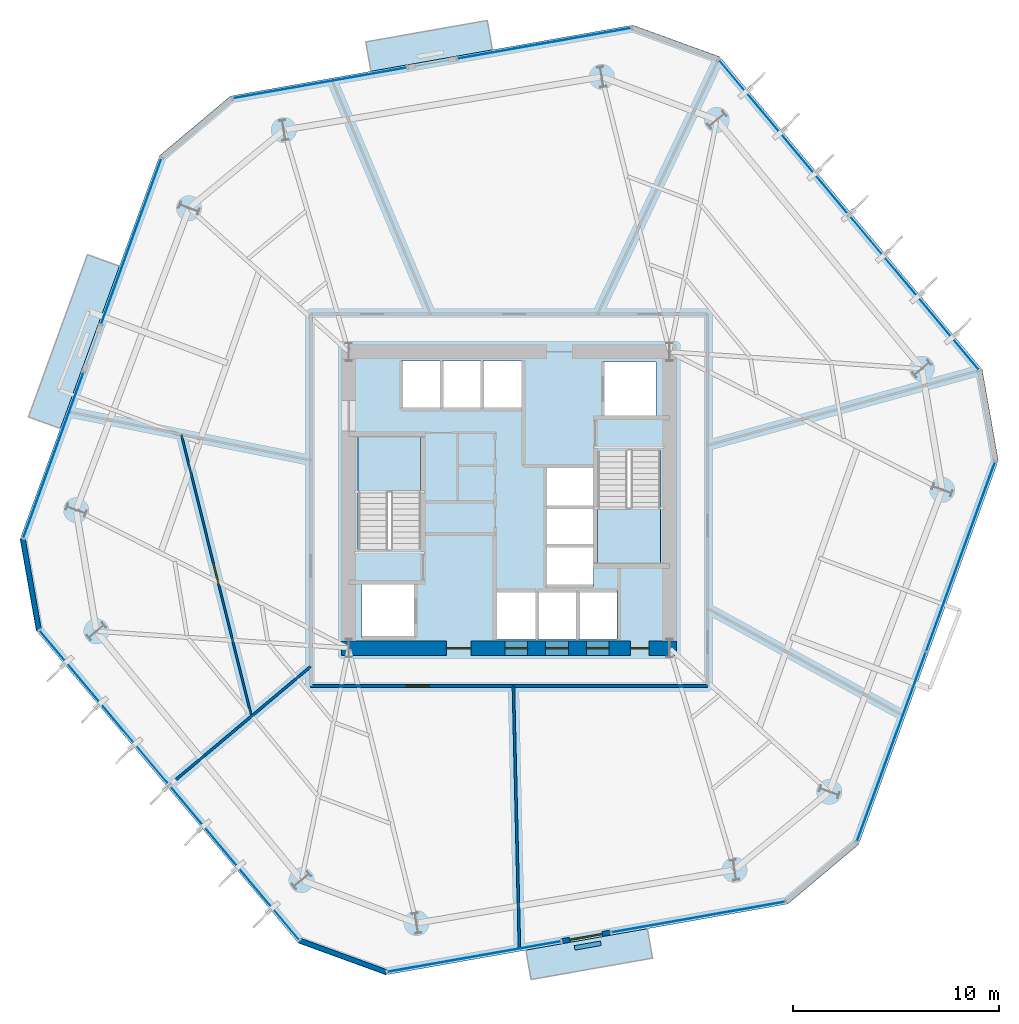
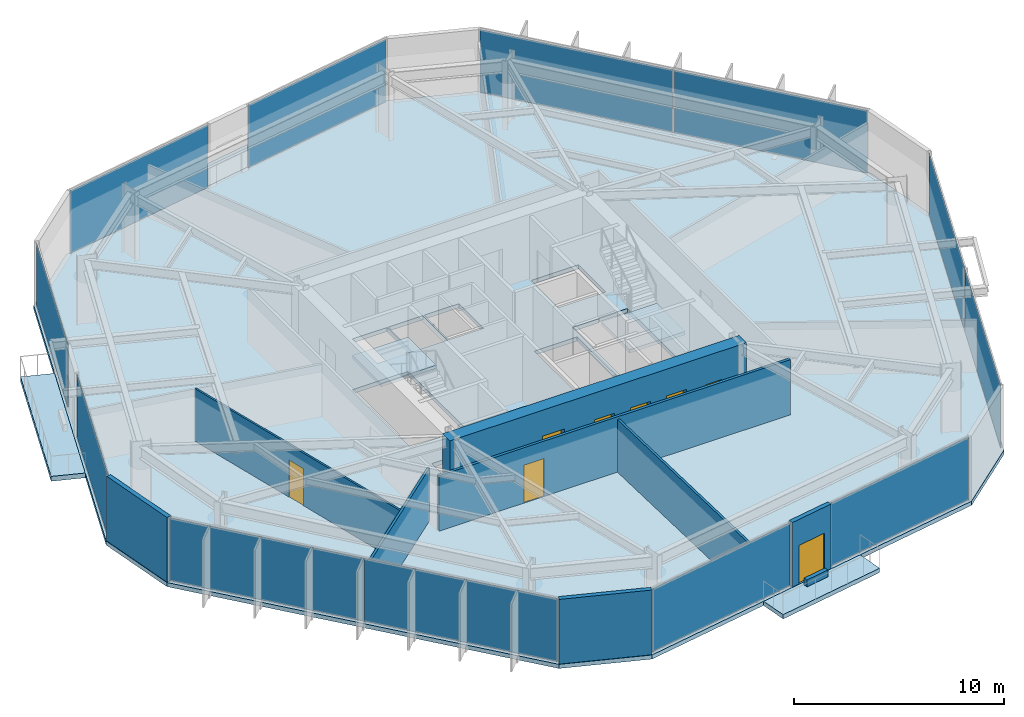
# One storey, part 5 of 10: 12 plates, 9 walls, 8 doors, 6 slabs, 8 openings, 11 elements without a shape of their own.
"""IFC4 building model written with IfcOpenShell, lengths in metres."""

from ifc_helpers import new_model, si_unit, direction, frame, frame_2d, origin, origin_2d, place, context, subcontext, project, spatial, polyline, rectangle, outline, extrude, material, layer, layer_set, type_object, element, fill, aggregate, save


model = new_model("IFC4")

# Units and contexts
model_context = context("Model", 3, precision=1e-05, world=origin(), true_north=direction((0.0, 1.0)))
body_context = subcontext(model_context, "Body", "Model", "MODEL_VIEW")
ifc_project = project(units=[si_unit("LENGTHUNIT", "METRE"), si_unit("AREAUNIT", "SQUARE_METRE"), si_unit("VOLUMEUNIT", "CUBIC_METRE"), si_unit("PLANEANGLEUNIT", "RADIAN"), si_unit("MASSUNIT", "GRAM", prefix="KILO")], contexts=[model_context])

# Site, building, storey
site_placement = place(None, origin())
site = spatial("IfcSite", under=ifc_project, at=site_placement, CompositionType="ELEMENT")
building_placement = place(site_placement, origin())
building = spatial("IfcBuilding", under=site, at=building_placement, Name="Kranzbogen Civic Tower", CompositionType="ELEMENT")
storey_placement = place(building_placement, frame((0.0, 0.0, 60.0)))
storey = spatial("IfcBuildingStorey", under=building, at=storey_placement, Name="L14", CompositionType="ELEMENT", Elevation=60.0)

# Slab
ifc_material_1 = material(Name="Concrete C40/50", Category="concrete")
ifc_layer_1 = layer(ifc_material_1, 0.239990234375, Name="Concrete C40/50")
ifc_layer_set_1 = layer_set([ifc_layer_1], Name="Concrete C40/50")
slab_type_1 = type_object("IfcSlabType", Name="Composite Lower Tower Floor Slab 240 mm", PredefinedType="FLOOR", material=ifc_layer_set_1)
slab_1_placement = place(storey_placement, frame((0.0, 0.0, -0.239990234375)))
element("IfcSlab", 1, at=slab_1_placement, inside=storey, type_object=slab_type_1, Name="L14 tower floor slab", PredefinedType="FLOOR", context=body_context, shape_type="SweptSolid", body=[
    extrude(outline(polyline([(48.006103515625, 31.341064453125), (35.239990234375, 46.555908203125), (31.010986328125, 48.094970703125), (11.451904296875, 44.64599609375), (8.0048828125, 41.7529296875), (1.2119140625, 23.090087890625), (1.993896484375, 18.658935546875), (14.760009765625, 3.444091796875), (18.989013671875, 1.905029296875), (38.548095703125, 5.35400390625), (41.9951171875, 8.2470703125), (48.7880859375, 26.909912109375), (48.006103515625, 31.341064453125)]), holes=[polyline([(26.300048828125, 20.60009765625), (26.300048828125, 18.25), (24.39990234375, 18.25), (24.39990234375, 20.60009765625), (26.300048828125, 20.60009765625)]), polyline([(28.27490234375, 18.25), (26.375, 18.25), (26.375, 20.60009765625), (28.27490234375, 20.60009765625), (28.27490234375, 18.25)]), polyline([(20.449951171875, 18.300048828125), (17.85009765625, 18.300048828125), (17.85009765625, 20.89990234375), (20.449951171875, 20.89990234375), (20.449951171875, 18.300048828125)]), polyline([(20.699951171875, 22.659912109375), (19.25, 22.659912109375), (19.25, 22.60009765625), (17.64990234375, 22.60009765625), (17.64990234375, 28.10009765625), (20.699951171875, 28.10009765625), (20.699951171875, 22.659912109375)]), polyline([(21.64990234375, 29.39990234375), (19.75, 29.39990234375), (19.75, 31.75), (21.64990234375, 31.75), (21.64990234375, 29.39990234375)]), polyline([(23.625, 29.39990234375), (21.72509765625, 29.39990234375), (21.72509765625, 31.75), (23.625, 31.75), (23.625, 29.39990234375)]), polyline([(25.60009765625, 31.75), (25.60009765625, 29.39990234375), (23.699951171875, 29.39990234375), (23.699951171875, 31.75), (25.60009765625, 31.75)]), polyline([(30.25, 18.25), (28.35009765625, 18.25), (28.35009765625, 20.60009765625), (30.25, 20.60009765625), (30.25, 18.25)]), polyline([(29.10009765625, 20.800048828125), (26.75, 20.800048828125), (26.75, 22.699951171875), (29.10009765625, 22.699951171875), (29.10009765625, 20.800048828125)]), polyline([(26.75, 26.550048828125), (29.10009765625, 26.550048828125), (29.10009765625, 24.675048828125), (29.10009765625, 24.64990234375), (29.10009765625, 22.77490234375), (26.75, 22.77490234375), (26.75, 24.64990234375), (26.75, 24.675048828125), (26.75, 26.550048828125)]), polyline([(30.75, 27.340087890625), (30.75, 27.39990234375), (32.35009765625, 27.39990234375), (32.35009765625, 21.89990234375), (29.300048828125, 21.89990234375), (29.300048828125, 27.340087890625), (30.75, 27.340087890625)]), polyline([(32.14990234375, 29.10009765625), (29.550048828125, 29.10009765625), (29.550048828125, 31.699951171875), (32.14990234375, 31.699951171875), (32.14990234375, 29.10009765625)])]), origin(), (0.0, 0.0, 1.0), 0.239990234375),
])

# Curtain wall, plates
ifc_material_2 = material(Name="Pale Anodised Aluminium", Category="aluminium")
ifc_layer_2 = layer(ifc_material_2, 0.219970703125, Name="Pale Anodised Aluminium")
ifc_layer_set_2 = layer_set([ifc_layer_2], Name="Pale Anodised Aluminium")
curtain_wall_type = type_object("IfcCurtainWallType", Name="Zone 1 Stick Curtain Wall System CW-02", PredefinedType="USERDEFINED", material=ifc_layer_set_2)
curtain_wall_1_placement = place(storey_placement, origin())
curtain_wall_1 = element("IfcCurtainWall", 2, at=curtain_wall_1_placement, inside=storey, type_object=curtain_wall_type, Name="L14 curtain wall CW-L14-F1", ObjectType="STICK CURTAIN WALL", PredefinedType="USERDEFINED")
ifc_material_3 = material(Name="Low-E Triple Glazing Glass", Category="glass")
ifc_layer_3 = layer(ifc_material_3, 0.033935546875, Name="Low-E Triple Glazing Glass")
ifc_layer_set_3 = layer_set([ifc_layer_3], Name="Low-E Triple Glazing Glass")
plate_type = type_object("IfcPlateType", Name="Insulated Low-E Glazing Panel 34 mm", PredefinedType="CURTAIN_PANEL", material=ifc_layer_set_3)
plate_1_placement = place(storey_placement, frame((44.688720703125, 35.096923828125, 0.06005859375), z_axis=(0.0, 0.0, 1.0), x_axis=(-0.64275131969, 0.766074892577, 0.0)))
plate_1 = element("IfcPlate", 3, at=plate_1_placement, type_object=plate_type, Name="CW-02 panel 1.1", PredefinedType="CURTAIN_PANEL", context=body_context, shape_type="SweptSolid", body=[
    extrude(rectangle(XDim=9.782470703125, YDim=0.028076171875, at=origin_2d()), origin(), (0.0, 0.0, 1.0), 3.639892578125),
])
plate_2_placement = place(storey_placement, frame((38.3623046875, 42.636962890625, 0.06005859375), z_axis=(0.0, 0.0, 1.0), x_axis=(-0.64275131969, 0.766074892577, 0.0)))
plate_2 = element("IfcPlate", 4, at=plate_2_placement, type_object=plate_type, Name="CW-02 panel 2.1", PredefinedType="CURTAIN_PANEL", context=body_context, shape_type="SweptSolid", body=[
    extrude(rectangle(XDim=9.782470703125, YDim=0.028076171875, at=origin_2d()), origin(), (0.0, 0.0, 1.0), 3.639892578125),
])
aggregate(curtain_wall_1, [plate_1, plate_2])

# Curtain wall, plate
curtain_wall_2_placement = place(storey_placement, origin())
curtain_wall_2 = element("IfcCurtainWall", 5, at=curtain_wall_2_placement, inside=storey, type_object=curtain_wall_type, Name="L14 curtain wall CW-L14-F2-S1", ObjectType="STICK CURTAIN WALL", PredefinedType="USERDEFINED")
plate_3_placement = place(storey_placement, frame((26.7060546875, 47.20703125, 0.06005859375), z_axis=(0.0, 0.0, 1.0), x_axis=(-0.984804448011, -0.173666920217, 0.0)))
plate_3 = element("IfcPlate", 6, at=plate_3_placement, type_object=plate_type, Name="CW-02 panel 1.1", PredefinedType="CURTAIN_PANEL", context=body_context, shape_type="SweptSolid", body=[
    extrude(rectangle(XDim=8.5517578125, YDim=0.028076171875, at=origin_2d()), origin(), (0.0, 0.0, 1.0), 3.639892578125),
])
aggregate(curtain_wall_2, [plate_3])

curtain_wall_3_placement = place(storey_placement, origin())
curtain_wall_3 = element("IfcCurtainWall", 7, at=curtain_wall_3_placement, inside=storey, type_object=curtain_wall_type, Name="L14 curtain wall CW-L14-F2-S2", ObjectType="STICK CURTAIN WALL", PredefinedType="USERDEFINED")
plate_4_placement = place(storey_placement, frame((15.801513671875, 45.283935546875, 0.06005859375), z_axis=(0.0, 0.0, 1.0), x_axis=(-0.984807925391, -0.173647200057, 0.0)))
plate_4 = element("IfcPlate", 8, at=plate_4_placement, type_object=plate_type, Name="CW-02 panel 1.1", PredefinedType="CURTAIN_PANEL", context=body_context, shape_type="SweptSolid", body=[
    extrude(rectangle(XDim=8.552734375, YDim=0.028076171875, at=origin_2d()), origin(), (0.0, 0.0, 1.0), 3.639892578125),
])
aggregate(curtain_wall_3, [plate_4])

curtain_wall_4_placement = place(storey_placement, origin())
curtain_wall_4 = element("IfcCurtainWall", 9, at=curtain_wall_4_placement, inside=storey, type_object=curtain_wall_type, Name="L14 curtain wall CW-L14-F3-S1", ObjectType="STICK CURTAIN WALL", PredefinedType="USERDEFINED")
plate_5_placement = place(storey_placement, frame((6.6220703125, 37.58056640625, 0.06005859375), z_axis=(0.0, 0.0, 1.0), x_axis=(-0.342020811393, -0.939692377629, 0.0)))
plate_5 = element("IfcPlate", 10, at=plate_5_placement, type_object=plate_type, Name="CW-02 panel 1.1", PredefinedType="CURTAIN_PANEL", context=body_context, shape_type="SweptSolid", body=[
    extrude(rectangle(XDim=8.552001953125, YDim=0.028076171875, at=origin_2d()), origin(), (0.0, 0.0, 1.0), 3.639892578125),
])
aggregate(curtain_wall_4, [plate_5])

curtain_wall_5_placement = place(storey_placement, origin())
curtain_wall_5 = element("IfcCurtainWall", 11, at=curtain_wall_5_placement, inside=storey, type_object=curtain_wall_type, Name="L14 curtain wall CW-L14-F3-S2", ObjectType="STICK CURTAIN WALL", PredefinedType="USERDEFINED")
plate_6_placement = place(storey_placement, frame((2.8349609375, 27.176025390625, 0.06005859375), z_axis=(0.0, 0.0, 1.0), x_axis=(-0.341983753933, -0.939705864644, 0.0)))
plate_6 = element("IfcPlate", 12, at=plate_6_placement, type_object=plate_type, Name="CW-02 panel 1.1", PredefinedType="CURTAIN_PANEL", context=body_context, shape_type="SweptSolid", body=[
    extrude(rectangle(XDim=8.552978515625, YDim=0.028076171875, at=origin_2d()), origin(), (0.0, 0.0, 1.0), 3.639892578125),
])
aggregate(curtain_wall_5, [plate_6])

# Curtain wall, plates
curtain_wall_6_placement = place(storey_placement, origin())
curtain_wall_6 = element("IfcCurtainWall", 13, at=curtain_wall_6_placement, inside=storey, type_object=curtain_wall_type, Name="L14 curtain wall CW-L14-F4", ObjectType="STICK CURTAIN WALL", PredefinedType="USERDEFINED")
plate_7_placement = place(storey_placement, frame((5.311279296875, 14.903076171875, 0.06005859375), z_axis=(0.0, 0.0, 1.0), x_axis=(0.64275131969, -0.766074892577, 0.0)))
plate_7 = element("IfcPlate", 14, at=plate_7_placement, type_object=plate_type, Name="CW-02 panel 1.1", PredefinedType="CURTAIN_PANEL", context=body_context, shape_type="SweptSolid", body=[
    extrude(rectangle(XDim=9.782470703125, YDim=0.028076171875, at=origin_2d()), origin(), (0.0, 0.0, 1.0), 3.639892578125),
])
plate_8_placement = place(storey_placement, frame((11.6376953125, 7.363037109375, 0.06005859375), z_axis=(0.0, 0.0, 1.0), x_axis=(0.64275131969, -0.766074892577, 0.0)))
plate_8 = element("IfcPlate", 15, at=plate_8_placement, type_object=plate_type, Name="CW-02 panel 2.1", PredefinedType="CURTAIN_PANEL", context=body_context, shape_type="SweptSolid", body=[
    extrude(rectangle(XDim=9.782470703125, YDim=0.028076171875, at=origin_2d()), origin(), (0.0, 0.0, 1.0), 3.639892578125),
])
aggregate(curtain_wall_6, [plate_7, plate_8])

# Curtain wall, plate
curtain_wall_7_placement = place(storey_placement, origin())
curtain_wall_7 = element("IfcCurtainWall", 16, at=curtain_wall_7_placement, inside=storey, type_object=curtain_wall_type, Name="L14 curtain wall CW-L14-F5-S1", ObjectType="STICK CURTAIN WALL", PredefinedType="USERDEFINED")
plate_9_placement = place(storey_placement, frame((23.2939453125, 2.79296875, 0.06005859375), z_axis=(0.0, 0.0, 1.0), x_axis=(0.984804448011, 0.173666920217, 0.0)))
plate_9 = element("IfcPlate", 17, at=plate_9_placement, type_object=plate_type, Name="CW-02 panel 1.1", PredefinedType="CURTAIN_PANEL", context=body_context, shape_type="SweptSolid", body=[
    extrude(rectangle(XDim=8.5517578125, YDim=0.028076171875, at=origin_2d()), origin(), (0.0, 0.0, 1.0), 3.639892578125),
])
aggregate(curtain_wall_7, [plate_9])

curtain_wall_8_placement = place(storey_placement, origin())
curtain_wall_8 = element("IfcCurtainWall", 18, at=curtain_wall_8_placement, inside=storey, type_object=curtain_wall_type, Name="L14 curtain wall CW-L14-F5-S2", ObjectType="STICK CURTAIN WALL", PredefinedType="USERDEFINED")
plate_10_placement = place(storey_placement, frame((34.198486328125, 4.716064453125, 0.06005859375), z_axis=(0.0, 0.0, 1.0), x_axis=(0.984807925391, 0.173647200057, 0.0)))
plate_10 = element("IfcPlate", 19, at=plate_10_placement, type_object=plate_type, Name="CW-02 panel 1.1", PredefinedType="CURTAIN_PANEL", context=body_context, shape_type="SweptSolid", body=[
    extrude(rectangle(XDim=8.552734375, YDim=0.028076171875, at=origin_2d()), origin(), (0.0, 0.0, 1.0), 3.639892578125),
])
aggregate(curtain_wall_8, [plate_10])

# Curtain wall, plates
curtain_wall_9_placement = place(storey_placement, origin())
curtain_wall_9 = element("IfcCurtainWall", 20, at=curtain_wall_9_placement, inside=storey, type_object=curtain_wall_type, Name="L14 curtain wall CW-L14-F6", ObjectType="STICK CURTAIN WALL", PredefinedType="USERDEFINED")
plate_11_placement = place(storey_placement, frame((43.58837890625, 12.99755859375, 0.06005859375), z_axis=(0.0, 0.0, 1.0), x_axis=(0.342015504473, 0.939694309177, 0.0)))
plate_11 = element("IfcPlate", 21, at=plate_11_placement, type_object=plate_type, Name="CW-02 panel 1.1", PredefinedType="CURTAIN_PANEL", context=body_context, shape_type="SweptSolid", body=[
    extrude(rectangle(XDim=9.782470703125, YDim=0.028076171875, at=origin_2d()), origin(), (0.0, 0.0, 1.0), 3.639892578125),
])
plate_12_placement = place(storey_placement, frame((46.95458984375, 22.246337890625, 0.06005859375), z_axis=(0.0, 0.0, 1.0), x_axis=(0.342015504473, 0.939694309177, 0.0)))
plate_12 = element("IfcPlate", 22, at=plate_12_placement, type_object=plate_type, Name="CW-02 panel 2.1", PredefinedType="CURTAIN_PANEL", context=body_context, shape_type="SweptSolid", body=[
    extrude(rectangle(XDim=9.782470703125, YDim=0.028076171875, at=origin_2d()), origin(), (0.0, 0.0, 1.0), 3.639892578125),
])
aggregate(curtain_wall_9, [plate_11, plate_12])

# Stair, slab
ifc_material_4 = material(Name="Precast concrete C40/50", Category="concrete")
stair_type_1 = type_object("IfcStairType", Name="Tower Core Pressurized Dogleg Stair 1450", PredefinedType="HALF_TURN_STAIR", material=ifc_material_4)
stair_1_placement = place(storey_placement, origin())
stair_1 = element("IfcStair", 23, at=stair_1_placement, inside=storey, type_object=stair_type_1, Name="L14 Tower Core Pressurized Stair 1", PredefinedType="HALF_TURN_STAIR")
ifc_layer_4 = layer(ifc_material_4, 0.199951171875, Name="Precast concrete C40/50")
ifc_layer_set_4 = layer_set([ifc_layer_4], Name="Precast concrete C40/50")
slab_type_2 = type_object("IfcSlabType", Name="Precast Concrete Stair Landing Slab 200 mm", PredefinedType="LANDING", material=ifc_layer_set_4)
slab_2_placement = place(storey_placement, frame((0.0, 0.0, 1.800048828125)))
slab_2 = element("IfcSlab", 24, at=slab_2_placement, type_object=slab_type_2, Name="ST-T1 landing 1", PredefinedType="LANDING", context=body_context, shape_type="SweptSolid", body=[
    extrude(outline(polyline([(20.699951171875, 25.39990234375), (20.699951171875, 28.10009765625), (17.64990234375, 28.10009765625), (17.64990234375, 25.39990234375), (20.699951171875, 25.39990234375)])), origin(), (0.0, 0.0, 1.0), 0.199951171875),
])
aggregate(stair_1, [slab_2])

stair_type_2 = type_object("IfcStairType", Name="Tower Core Secondary Dogleg Stair 1450", PredefinedType="HALF_TURN_STAIR", material=ifc_material_4)
stair_2_placement = place(storey_placement, origin())
stair_2 = element("IfcStair", 25, at=stair_2_placement, inside=storey, type_object=stair_type_2, Name="L14 Tower Core Pressurized Stair 2", PredefinedType="HALF_TURN_STAIR")
slab_3_placement = place(storey_placement, frame((0.0, 0.0, 1.800048828125)))
slab_3 = element("IfcSlab", 26, at=slab_3_placement, type_object=slab_type_2, Name="ST-T2 landing 1", PredefinedType="LANDING", context=body_context, shape_type="SweptSolid", body=[
    extrude(outline(polyline([(29.300048828125, 24.60009765625), (29.300048828125, 21.89990234375), (32.35009765625, 21.89990234375), (32.35009765625, 24.60009765625), (29.300048828125, 24.60009765625)])), origin(), (0.0, 0.0, 1.0), 0.199951171875),
])
aggregate(stair_2, [slab_3])

# Slabs
ifc_layer_5 = layer(ifc_material_1, 0.280029296875, Name="Concrete C40/50")
ifc_layer_set_5 = layer_set([ifc_layer_5], Name="Concrete C40/50")
slab_type_3 = type_object("IfcSlabType", Name="Spiral Terrace Cantilevered Slab 280 mm", PredefinedType="FLOOR", material=ifc_layer_set_5)
slab_4_placement = place(storey_placement, frame((0.0, 0.0, -0.280029296875)))
element("IfcSlab", 27, at=slab_4_placement, inside=storey, type_object=slab_type_3, Name="L14 cantilevered spiral terrace L14-ST", PredefinedType="FLOOR", context=body_context, shape_type="SweptSolid", body=[
    extrude(outline(polyline([(6.044921875, 36.368896484375), (3.172119140625, 28.47509765625), (1.6220703125, 29.0390625), (4.4951171875, 36.93310546875), (6.044921875, 36.368896484375)])), origin(), (0.0, 0.0, 1.0), 0.280029296875),
])
ifc_layer_6 = layer(ifc_material_1, 0.25, Name="Concrete C40/50")
ifc_layer_set_6 = layer_set([ifc_layer_6], Name="Concrete C40/50")
slab_type_4 = type_object("IfcSlabType", Name="Tree Balcony Cantilevered Slab 250 mm", PredefinedType="FLOOR", material=ifc_layer_set_6)
slab_5_placement = place(storey_placement, frame((0.0, 0.0, -0.25)))
element("IfcSlab", 28, at=slab_5_placement, inside=storey, type_object=slab_type_4, Name="L14 cantilevered tree balcony L14-TB1", PredefinedType="FLOOR", context=body_context, shape_type="SweptSolid", body=[
    extrude(outline(polyline([(25.81396484375, 3.10888671875), (31.722900390625, 4.15087890625), (31.97509765625, 2.722900390625), (26.06591796875, 1.680908203125), (25.81396484375, 3.10888671875)])), origin(), (0.0, 0.0, 1.0), 0.25),
])
slab_6_placement = place(storey_placement, frame((0.0, 0.0, -0.25)))
element("IfcSlab", 29, at=slab_6_placement, inside=storey, type_object=slab_type_4, Name="L14 cantilevered tree balcony L14-TB2", PredefinedType="FLOOR", context=body_context, shape_type="SweptSolid", body=[
    extrude(outline(polyline([(24.18603515625, 46.89111328125), (18.277099609375, 45.84912109375), (18.02490234375, 47.277099609375), (23.93408203125, 48.319091796875), (24.18603515625, 46.89111328125)])), origin(), (0.0, 0.0, 1.0), 0.25),
])

# Wall, opening, door
ifc_material_5 = material(Name="Double-Stud Acoustic Gypsum Partition")
ifc_layer_7 = layer(ifc_material_5, 0.14990234375, Name="Double-Stud Acoustic Gypsum Partition")
ifc_layer_set_7 = layer_set([ifc_layer_7], Name="Double-Stud Acoustic Gypsum Partition")
wall_type_1 = type_object("IfcWallType", Name="Acoustic Corridor and Clinical Partition 150 mm", PredefinedType="PARTITIONING", material=ifc_layer_set_7)
wall_1_placement = place(storey_placement, frame((34.64990234375, 15.949951171875, 0.0), z_axis=(0.0, 0.0, 1.0), x_axis=(-1.0, 0.0, 0.0)))
wall_1 = element("IfcWall", 30, at=wall_1_placement, inside=storey, type_object=wall_type_1, Name="L14 corridor partition 03", PredefinedType="PARTITIONING", context=body_context, shape_type="SweptSolid", body=[
    extrude(rectangle(XDim=19.2998046875, YDim=0.14990234375, at=frame_2d((9.64990234375, 0.0))), origin(), (0.0, 0.0, 1.0), 3.2099609375),
])
opening_1_placement = place(wall_1_placement, frame((13.547119140625, 0.0, 0.0)))
opening_1 = element("IfcOpeningElement", 31, at=opening_1_placement, cuts=wall_1, Name="Opening D-COR60", PredefinedType="OPENING", context=body_context, shape_type="SweptSolid", body=[
    extrude(rectangle(XDim=1.10009765625, YDim=2.199951171875, at=frame_2d((0.550048828125, 1.10009765625))), frame((0.0, 0.0849609375, 0.0), z_axis=(0.0, -1.0, 0.0), x_axis=(1.0, 0.0, 0.0)), (0.0, 0.0, 1.0), 0.169921875),
])
ifc_material_6 = material(Name="Oak Timber and Fire Core", Category="wood")
door_type_1 = type_object("IfcDoorType", Name="Corridor Acoustic Fire Door 1100x2200", OperationType="NOTDEFINED", PredefinedType="DOOR", material=ifc_material_6)
door_1_placement = place(opening_1_placement, origin())
door_1 = element("IfcDoor", 32, at=door_1_placement, inside=storey, type_object=door_type_1, Name="L14 Legal Counsel Office door", OperationType="SINGLE_SWING_RIGHT", OverallHeight=2.199951171875, OverallWidth=1.10009765625, PredefinedType="DOOR", context=body_context, shape_type="SweptSolid", body=[
    extrude(rectangle(XDim=1.10009765625, YDim=2.199951171875, at=frame_2d((0.550048828125, 1.10009765625))), frame((0.0, 0.02490234375, 0.0), z_axis=(0.0, -1.0, 0.0), x_axis=(1.0, 0.0, 0.0)), (0.0, 0.0, 1.0), 0.050048828125),
])
fill(opening_1, door_1)

# Walls
ifc_material_7 = material(Name="Insulated Metal-Stud Gypsum Partition")
ifc_layer_8 = layer(ifc_material_7, 0.125, Name="Insulated Metal-Stud Gypsum Partition")
ifc_layer_set_8 = layer_set([ifc_layer_8], Name="Insulated Metal-Stud Gypsum Partition")
wall_type_2 = type_object("IfcWallType", Name="Acoustic Inter-Room Partition 125 mm", PredefinedType="PARTITIONING", material=ifc_layer_set_8)
wall_2_placement = place(storey_placement, frame((15.35009765625, 16.903076171875, 0.0), z_axis=(0.0, 0.0, 1.0), x_axis=(-0.766038717156, -0.642794433562, 0.0)))
element("IfcWall", 33, at=wall_2_placement, inside=storey, type_object=wall_type_2, Name="L14 radial room partition 04", PredefinedType="PARTITIONING", context=body_context, shape_type="SweptSolid", body=[
    extrude(rectangle(XDim=8.957763671875, YDim=0.125, at=frame_2d((4.47900390625, 0.0))), origin(), (0.0, 0.0, 1.0), 3.06005859375),
])
wall_3_placement = place(storey_placement, frame((25.20703125, 15.949951171875, 0.0), z_axis=(0.0, 0.0, 1.0), x_axis=(0.022895344846, -0.999737867235, 0.0)))
element("IfcWall", 34, at=wall_3_placement, inside=storey, type_object=wall_type_2, Name="L14 radial room partition 05", PredefinedType="PARTITIONING", context=body_context, shape_type="SweptSolid", body=[
    extrude(rectangle(XDim=12.75341796875, YDim=0.125, at=frame_2d((6.376708984375, 0.0))), origin(), (0.0, 0.0, 1.0), 3.06005859375),
])
ifc_material_8 = material(Name="Architectural Precast Terracotta Concrete C40/50", Category="masonry")
ifc_layer_9 = layer(ifc_material_8, 0.219970703125, Name="Architectural Precast Terracotta Concrete C40/50")
ifc_layer_set_9 = layer_set([ifc_layer_9], Name="Architectural Precast Terracotta Concrete C40/50")
wall_type_3 = type_object("IfcWallType", Name="Architectural Tree Planter Kerb Wall 220 mm", PredefinedType="USERDEFINED", material=ifc_layer_set_9)
wall_4_placement = place(storey_placement, frame((28.180908203125, 3.217041015625, 0.0), z_axis=(0.0, 0.0, 1.0), x_axis=(0.98475896803, 0.173924624146, 0.0)))
element("IfcWall", 35, at=wall_4_placement, inside=storey, type_object=wall_type_3, Name="L14 landscaped tree balcony planter L14-TB1", ObjectType="PLANTER_WALL", PredefinedType="USERDEFINED", context=body_context, shape_type="SweptSolid", body=[
    extrude(rectangle(XDim=1.2998046875, YDim=0.219970703125, at=frame_2d((0.64990234375, 0.0))), origin(), (0.0, 0.0, 1.0), 0.39990234375),
])

# Wall, openings, doors
ifc_material_9 = material(Name="Concrete C55/67", Category="concrete")
ifc_layer_10 = layer(ifc_material_9, 0.699951171875, Name="Concrete C55/67")
ifc_layer_set_10 = layer_set([ifc_layer_10], Name="Concrete C55/67")
wall_type_4 = type_object("IfcWallType", Name="Central Core Shear Wall 700 mm", PredefinedType="SHEAR", material=ifc_layer_set_10)
wall_5_placement = place(storey_placement, frame((16.85009765625, 17.800048828125, 0.0), z_axis=(0.0, 0.0, 1.0), x_axis=(1.0, 0.0, 0.0)))
wall_5 = element("IfcWall", 36, at=wall_5_placement, inside=storey, type_object=wall_type_4, Name="L14 central core South shear wall", PredefinedType="SHEAR", context=body_context, shape_type="SweptSolid", body=[
    extrude(rectangle(XDim=16.2998046875, YDim=0.699951171875, at=frame_2d((8.14990234375, 0.0))), origin(), (0.0, 0.0, 1.0), 3.760009765625),
])
opening_2_placement = place(wall_5_placement, frame((5.10009765625, 0.0, 0.0)))
opening_2 = element("IfcOpeningElement", 37, at=opening_2_placement, cuts=wall_5, Name="Opening D-EX120", PredefinedType="OPENING", context=body_context, shape_type="SweptSolid", body=[
    extrude(rectangle(XDim=1.199951171875, YDim=2.25, at=frame_2d((0.60009765625, 1.125))), frame((0.0, 0.35986328125, 0.0), z_axis=(0.0, -1.0, 0.0), x_axis=(1.0, 0.0, 0.0)), (0.0, 0.0, 1.0), 0.719970703125),
])
opening_3_placement = place(wall_5_placement, frame((14.050048828125, 0.0, 0.0)))
opening_3 = element("IfcOpeningElement", 38, at=opening_3_placement, cuts=wall_5, Name="Opening D-WC90", PredefinedType="OPENING", context=body_context, shape_type="SweptSolid", body=[
    extrude(rectangle(XDim=0.89990234375, YDim=2.10009765625, at=frame_2d((0.449951171875, 1.050048828125))), frame((0.0, 0.35986328125, 0.0), z_axis=(0.0, -1.0, 0.0), x_axis=(1.0, 0.0, 0.0)), (0.0, 0.0, 1.0), 0.719970703125),
])
opening_4_placement = place(wall_5_placement, frame((7.949951171875, 0.0, 0.0)))
opening_4 = element("IfcOpeningElement", 39, at=opening_4_placement, cuts=wall_5, Name="Opening LD-LP-01", PredefinedType="OPENING", context=body_context, shape_type="SweptSolid", body=[
    extrude(rectangle(XDim=1.10009765625, YDim=2.199951171875, at=frame_2d((0.550048828125, 1.10009765625))), frame((0.0, 0.35986328125, 0.0), z_axis=(0.0, -1.0, 0.0), x_axis=(1.0, 0.0, 0.0)), (0.0, 0.0, 1.0), 0.719970703125),
])
opening_5_placement = place(wall_5_placement, frame((9.925048828125, 0.0, 0.0)))
opening_5 = element("IfcOpeningElement", 40, at=opening_5_placement, cuts=wall_5, Name="Opening LD-LP-02", PredefinedType="OPENING", context=body_context, shape_type="SweptSolid", body=[
    extrude(rectangle(XDim=1.10009765625, YDim=2.199951171875, at=frame_2d((0.550048828125, 1.10009765625))), frame((0.0, 0.35986328125, 0.0), z_axis=(0.0, -1.0, 0.0), x_axis=(1.0, 0.0, 0.0)), (0.0, 0.0, 1.0), 0.719970703125),
])
opening_6_placement = place(wall_5_placement, frame((11.89990234375, 0.0, 0.0)))
opening_6 = element("IfcOpeningElement", 41, at=opening_6_placement, cuts=wall_5, Name="Opening LD-LP-03", PredefinedType="OPENING", context=body_context, shape_type="SweptSolid", body=[
    extrude(rectangle(XDim=1.10009765625, YDim=2.199951171875, at=frame_2d((0.550048828125, 1.10009765625))), frame((0.0, 0.35986328125, 0.0), z_axis=(0.0, -1.0, 0.0), x_axis=(1.0, 0.0, 0.0)), (0.0, 0.0, 1.0), 0.719970703125),
])
ifc_material_10 = material(Name="Steel S355", Category="steel")
door_type_2 = type_object("IfcDoorType", Name="Exit Passageway Fire Door 1200x2250", OperationType="NOTDEFINED", PredefinedType="DOOR", material=ifc_material_10)
door_2_placement = place(opening_2_placement, origin())
door_2 = element("IfcDoor", 42, at=door_2_placement, inside=storey, type_object=door_type_2, Name="L14 West firefighting lobby corridor door", OperationType="SINGLE_SWING_LEFT", OverallHeight=2.25, OverallWidth=1.199951171875, PredefinedType="DOOR", context=body_context, shape_type="SweptSolid", body=[
    extrude(rectangle(XDim=1.199951171875, YDim=2.25, at=frame_2d((0.60009765625, 1.125))), frame((0.0, 0.02490234375, 0.0), z_axis=(0.0, -1.0, 0.0), x_axis=(1.0, 0.0, 0.0)), (0.0, 0.0, 1.0), 0.050048828125),
])
fill(opening_2, door_2)
door_type_3 = type_object("IfcDoorType", Name="Passenger Lift Sliding Landing Door 1100x2200", OperationType="DOUBLE_DOOR_SLIDING", PredefinedType="DOOR", material=ifc_material_2)
door_3_placement = place(opening_4_placement, origin())
door_3 = element("IfcDoor", 43, at=door_3_placement, inside=storey, type_object=door_type_3, Name="L14 lift LP-01 sliding landing door", OperationType="DOUBLE_DOOR_SLIDING", OverallHeight=2.199951171875, OverallWidth=1.10009765625, PredefinedType="DOOR", context=body_context, shape_type="SweptSolid", body=[
    extrude(rectangle(XDim=1.10009765625, YDim=2.199951171875, at=frame_2d((0.550048828125, 1.10009765625))), frame((0.0, 0.02490234375, 0.0), z_axis=(0.0, -1.0, 0.0), x_axis=(1.0, 0.0, 0.0)), (0.0, 0.0, 1.0), 0.050048828125),
])
fill(opening_4, door_3)
door_4_placement = place(opening_5_placement, origin())
door_4 = element("IfcDoor", 44, at=door_4_placement, inside=storey, type_object=door_type_3, Name="L14 lift LP-02 sliding landing door", OperationType="DOUBLE_DOOR_SLIDING", OverallHeight=2.199951171875, OverallWidth=1.10009765625, PredefinedType="DOOR", context=body_context, shape_type="SweptSolid", body=[
    extrude(rectangle(XDim=1.10009765625, YDim=2.199951171875, at=frame_2d((0.550048828125, 1.10009765625))), frame((0.0, 0.02490234375, 0.0), z_axis=(0.0, -1.0, 0.0), x_axis=(1.0, 0.0, 0.0)), (0.0, 0.0, 1.0), 0.050048828125),
])
fill(opening_5, door_4)
door_5_placement = place(opening_6_placement, origin())
door_5 = element("IfcDoor", 45, at=door_5_placement, inside=storey, type_object=door_type_3, Name="L14 lift LP-03 sliding landing door", OperationType="DOUBLE_DOOR_SLIDING", OverallHeight=2.199951171875, OverallWidth=1.10009765625, PredefinedType="DOOR", context=body_context, shape_type="SweptSolid", body=[
    extrude(rectangle(XDim=1.10009765625, YDim=2.199951171875, at=frame_2d((0.550048828125, 1.10009765625))), frame((0.0, 0.02490234375, 0.0), z_axis=(0.0, -1.0, 0.0), x_axis=(1.0, 0.0, 0.0)), (0.0, 0.0, 1.0), 0.050048828125),
])
fill(opening_6, door_5)
ifc_material_11 = material(Name="Moisture-Resistant Laminate")
door_type_4 = type_object("IfcDoorType", Name="Standard Restroom and Store Door 900x2100", OperationType="NOTDEFINED", PredefinedType="DOOR", material=ifc_material_11)
door_6_placement = place(opening_3_placement, origin())
door_6 = element("IfcDoor", 46, at=door_6_placement, inside=storey, type_object=door_type_4, Name="L14 East electrical riser access door", OperationType="SINGLE_SWING_LEFT", OverallHeight=2.10009765625, OverallWidth=0.89990234375, PredefinedType="DOOR", context=body_context, shape_type="SweptSolid", body=[
    extrude(rectangle(XDim=0.89990234375, YDim=2.10009765625, at=frame_2d((0.449951171875, 1.050048828125))), frame((0.0, 0.02490234375, 0.0), z_axis=(0.0, -1.0, 0.0), x_axis=(1.0, 0.0, 0.0)), (0.0, 0.0, 1.0), 0.050048828125),
])
fill(opening_3, door_6)

# Wall, opening, door
ifc_material_12 = material(Name="Demountable Aluminium and Gypsum Partition", Category="aluminium")
ifc_layer_11 = layer(ifc_material_12, 0.10009765625, Name="Demountable Aluminium and Gypsum Partition")
ifc_layer_set_11 = layer_set([ifc_layer_11], Name="Demountable Aluminium and Gypsum Partition")
wall_type_5 = type_object("IfcWallType", Name="Demountable Office Partition 100 mm", PredefinedType="MOVABLE", material=ifc_layer_set_11)
wall_6_placement = place(storey_placement, frame((9.06298828125, 28.172119140625, 0.0), z_axis=(0.0, 0.0, 1.0), x_axis=(0.241406037558, -0.970424198498, 0.0)))
wall_6 = element("IfcWall", 47, at=wall_6_placement, inside=storey, type_object=wall_type_5, Name="L14 suite chord partition 01", PredefinedType="MOVABLE", context=body_context, shape_type="SweptSolid", body=[
    extrude(rectangle(XDim=14.0888671875, YDim=0.10009765625, at=frame_2d((7.04443359375, 0.0))), origin(), (0.0, 0.0, 1.0), 3.050048828125),
])
opening_7_placement = place(wall_6_placement, frame((6.4541015625, 0.0, 0.0)))
opening_7 = element("IfcOpeningElement", 48, at=opening_7_placement, cuts=wall_6, Name="Opening D-OFC10", PredefinedType="OPENING", context=body_context, shape_type="SweptSolid", body=[
    extrude(rectangle(XDim=1.0, YDim=2.14990234375, at=frame_2d((0.5, 1.074951171875))), frame((0.0, 0.06005859375, 0.0), z_axis=(0.0, -1.0, 0.0), x_axis=(1.0, 0.0, 0.0)), (0.0, 0.0, 1.0), 0.1201171875),
])
ifc_material_13 = material(Name="Oak Timber Veneer", Category="wood")
door_type_5 = type_object("IfcDoorType", Name="Standard Office Acoustic Door 1000x2150", OperationType="NOTDEFINED", PredefinedType="DOOR", material=ifc_material_13)
door_7_placement = place(opening_7_placement, origin())
door_7 = element("IfcDoor", 49, at=door_7_placement, inside=storey, type_object=door_type_5, Name="L14 Directorate Admin Workspace door", OperationType="SINGLE_SWING_LEFT", OverallHeight=2.14990234375, OverallWidth=1.0, PredefinedType="DOOR", context=body_context, shape_type="SweptSolid", body=[
    extrude(rectangle(XDim=1.0, YDim=2.14990234375, at=frame_2d((0.5, 1.074951171875))), frame((0.0, 0.02490234375, 0.0), z_axis=(0.0, -1.0, 0.0), x_axis=(1.0, 0.0, 0.0)), (0.0, 0.0, 1.0), 0.050048828125),
])
fill(opening_7, door_7)

# Walls
ifc_layer_12 = layer(ifc_material_2, 0.239990234375, Name="Pale Anodised Aluminium")
ifc_layer_set_12 = layer_set([ifc_layer_12], Name="Pale Anodised Aluminium")
wall_type_6 = type_object("IfcWallType", Name="Insulated Aluminium Facade Portal Wall 240 mm", PredefinedType="STANDARD", material=ifc_layer_set_12)
wall_7_placement = place(storey_placement, frame((1.35205078125, 23.10107421875, 0.0), z_axis=(0.0, 0.0, 1.0), x_axis=(0.173676354246, -0.984802784305, 0.0)))
element("IfcWall", 50, at=wall_7_placement, inside=storey, type_object=wall_type_6, Name="L14 chamfered corner facade spandrel 3", PredefinedType="STANDARD", context=body_context, shape_type="SweptSolid", body=[
    extrude(rectangle(XDim=4.472900390625, YDim=0.239990234375, at=frame_2d((2.236328125, 0.0))), origin(), (0.0, 0.0, 1.0), 3.760009765625),
])
wall_8_placement = place(storey_placement, frame((14.820068359375, 3.570068359375, 0.0), z_axis=(0.0, 0.0, 1.0), x_axis=(0.939696189387, -0.342010338515, 0.0)))
element("IfcWall", 51, at=wall_8_placement, inside=storey, type_object=wall_type_6, Name="L14 chamfered corner facade spandrel 4", PredefinedType="STANDARD", context=body_context, shape_type="SweptSolid", body=[
    extrude(rectangle(XDim=4.4736328125, YDim=0.239990234375, at=frame_2d((2.23681640625, 0.0))), origin(), (0.0, 0.0, 1.0), 3.760009765625),
])

# Wall, opening, door
wall_9_placement = place(storey_placement, frame((27.56396484375, 3.5458984375, 0.0), z_axis=(0.0, 0.0, 1.0), x_axis=(0.984796866145, 0.173709908848, 0.0)))
wall_9 = element("IfcWall", 52, at=wall_9_placement, inside=storey, type_object=wall_type_6, Name="L14 exterior entrance portal wall 1", PredefinedType="STANDARD", context=body_context, shape_type="SweptSolid", body=[
    extrude(rectangle(XDim=2.400390625, YDim=0.239990234375, at=frame_2d((1.2001953125, 0.0))), origin(), (0.0, 0.0, 1.0), 3.760009765625),
])
opening_8_placement = place(wall_9_placement, frame((0.39990234375, 0.0, 0.0)))
opening_8 = element("IfcOpeningElement", 53, at=opening_8_placement, cuts=wall_9, Name="Opening D-TER", PredefinedType="OPENING", context=body_context, shape_type="SweptSolid", body=[
    extrude(rectangle(XDim=1.60009765625, YDim=2.25, at=frame_2d((0.800048828125, 1.125))), frame((0.0, 0.1298828125, 0.0), z_axis=(0.0, -1.0, 0.0), x_axis=(1.0, 0.0, 0.0)), (0.0, 0.0, 1.0), 0.260009765625),
])
ifc_material_14 = material(Name="Anodised Bronze and Triple Glass", Category="glass")
door_type_6 = type_object("IfcDoorType", Name="Glazed Terrace and Balcony Double Door 1600x2250", OperationType="DOUBLE_DOOR_SINGLE_SWING", PredefinedType="DOOR", material=ifc_material_14)
door_8_placement = place(opening_8_placement, frame((1.60009765625, 0.0, 0.0), z_axis=(0.0, 0.0, 1.0), x_axis=(-1.0, 0.0, 0.0)))
door_8 = element("IfcDoor", 54, at=door_8_placement, inside=storey, type_object=door_type_6, Name="L14 tree balcony access door L14-TB1", OperationType="DOUBLE_DOOR_SINGLE_SWING", OverallHeight=2.25, OverallWidth=1.60009765625, PredefinedType="DOOR", context=body_context, shape_type="SweptSolid", body=[
    extrude(rectangle(XDim=1.60009765625, YDim=2.25, at=frame_2d((0.800048828125, 1.125))), frame((0.0, 0.02490234375, 0.0), z_axis=(0.0, -1.0, 0.0), x_axis=(1.0, 0.0, 0.0)), (0.0, 0.0, 1.0), 0.050048828125),
])
fill(opening_8, door_8)

save(model, "model.ifc")
